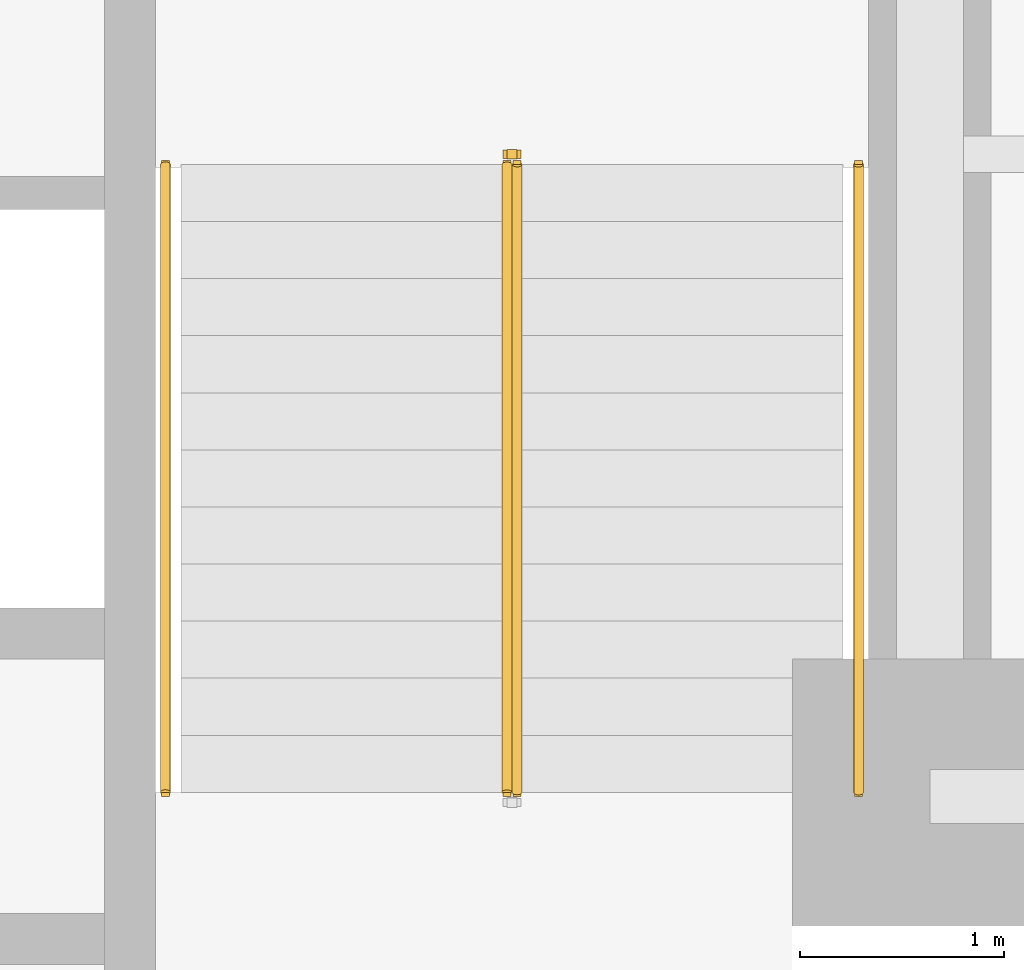
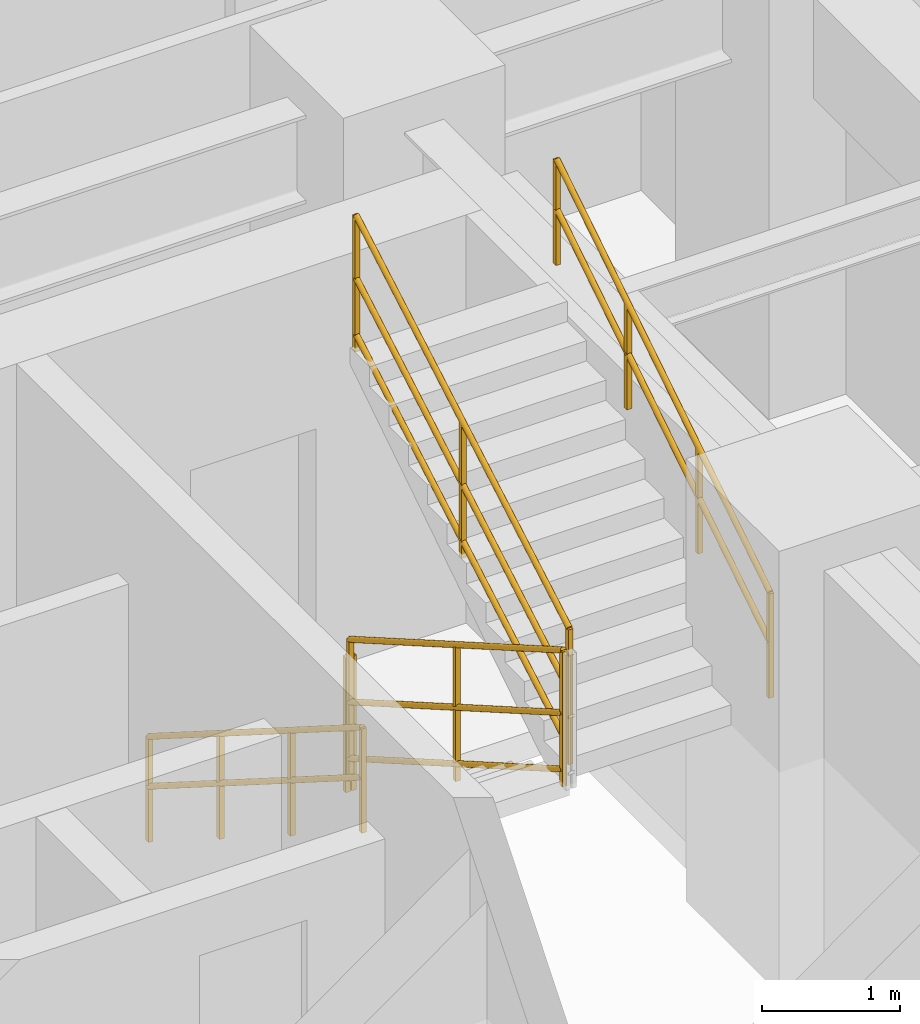
# One storey, part 9 of 10: 5 railings.
"""IFC4 building model written with IfcOpenShell, lengths in metres."""

from ifc_helpers import new_model, entity, si_unit, converted_unit, direction, frame, origin_with_axes, origin_2d_with_axis, place, context, subcontext, project, spatial, rectangle, circle, extrude, material, type_object, element, save


model = new_model("IFC4")

# Units and contexts
model_context = context("Model", 3, precision=1e-05, world=origin_with_axes(), true_north=direction((0.0, 1.0)))
body_context = subcontext(model_context, "Body", "Model", "MODEL_VIEW")
ifc_project = project(units=[si_unit("LENGTHUNIT", "METRE"), si_unit("AREAUNIT", "SQUARE_METRE"), si_unit("VOLUMEUNIT", "CUBIC_METRE"), converted_unit("PLANEANGLEUNIT", "DEGREE", entity("IfcPlaneAngleMeasure", 0.017453292519943295), si_unit("PLANEANGLEUNIT", "RADIAN"), dimensions=[0, 0, 0, 0, 0, 0, 0]), si_unit("MASSUNIT", "GRAM", prefix="KILO"), si_unit("THERMODYNAMICTEMPERATUREUNIT", "KELVIN")], contexts=[model_context])

# Site, building, storey
site_placement = place(None, origin_with_axes())
site = spatial("IfcSite", under=ifc_project, at=site_placement, CompositionType="ELEMENT")
building_placement = place(site_placement, origin_with_axes())
building = spatial("IfcBuilding", under=site, at=building_placement, Name="Varnlund Millrace Tower", CompositionType="ELEMENT")
storey_placement = place(building_placement, frame((0.0, 0.0, 75.6), z_axis=(0.0, 0.0, 1.0), x_axis=(1.0, 0.0, 0.0)))
storey = spatial("IfcBuildingStorey", under=building, at=storey_placement, Name="L18", CompositionType="ELEMENT", Elevation=75.6)

# Railings
ifc_material_1 = material(Name="Painted steel stair well balustrade guard", Category="steel")
railing_type_1 = type_object("IfcRailingType", Name="Type-StairGuard-1150", PredefinedType="GUARDRAIL", material=ifc_material_1)
railing_1_placement = place(storey_placement, frame((0.0, 0.0, -75.6), z_axis=(0.0, 0.0, 1.0), x_axis=(1.0, 0.0, 0.0)))
element("IfcRailing", 1, at=railing_1_placement, inside=storey, type_object=railing_type_1, Name="Type-StairGuard-1150", PredefinedType="GUARDRAIL", context=body_context, shape_type="SweptSolid", body=[
    extrude(circle(Radius=0.024, at=origin_2d_with_axis()), frame((45.975, 21.1, 76.927273), z_axis=(0.0, -0.866696, 0.498836), x_axis=(1.0, 0.0, 0.0)), (0.0, 0.0, 1.0), 3.553725),
    extrude(circle(Radius=0.024, at=origin_2d_with_axis()), frame((45.975, 21.1, 75.877273), z_axis=(0.0, -0.866696, 0.498836), x_axis=(1.0, 0.0, 0.0)), (0.0, 0.0, 1.0), 3.553725),
    extrude(circle(Radius=0.024, at=origin_2d_with_axis()), frame((45.975, 21.1, 76.375273), z_axis=(0.0, -0.866696, 0.498836), x_axis=(1.0, 0.0, 0.0)), (0.0, 0.0, 1.0), 3.553725),
    extrude(rectangle(XDim=0.04, YDim=0.04, at=origin_2d_with_axis()), frame((45.975, 21.1, 75.737273), z_axis=(0.0, 0.0, 1.0), x_axis=(1.0, 0.0, 0.0)), (0.0, 0.0, 1.0), 1.19),
    extrude(rectangle(XDim=0.04, YDim=0.04, at=origin_2d_with_axis()), frame((45.975, 19.56, 76.623636), z_axis=(0.0, 0.0, 1.0), x_axis=(1.0, 0.0, 0.0)), (0.0, 0.0, 1.0), 1.19),
    extrude(rectangle(XDim=0.04, YDim=0.04, at=origin_2d_with_axis()), frame((45.975, 18.02, 77.51), z_axis=(0.0, 0.0, 1.0), x_axis=(1.0, 0.0, 0.0)), (0.0, 0.0, 1.0), 1.19),
])
railing_2_placement = place(storey_placement, frame((0.0, 0.0, -75.6), z_axis=(0.0, 0.0, 1.0), x_axis=(1.0, 0.0, 0.0)))
element("IfcRailing", 2, at=railing_2_placement, inside=storey, type_object=railing_type_1, Name="Type-StairGuard-1150", PredefinedType="GUARDRAIL", context=body_context, shape_type="SweptSolid", body=[
    extrude(circle(Radius=0.024, at=origin_2d_with_axis()), frame((46.025, 18.02, 78.877273), z_axis=(0.0, 0.866696, 0.498836), x_axis=(-1.0, 0.0, 0.0)), (0.0, 0.0, 1.0), 3.553725),
    extrude(circle(Radius=0.024, at=origin_2d_with_axis()), frame((46.025, 18.02, 77.827273), z_axis=(0.0, 0.866696, 0.498836), x_axis=(-1.0, 0.0, 0.0)), (0.0, 0.0, 1.0), 3.553725),
    extrude(circle(Radius=0.024, at=origin_2d_with_axis()), frame((46.025, 18.02, 78.325273), z_axis=(0.0, 0.866696, 0.498836), x_axis=(-1.0, 0.0, 0.0)), (0.0, 0.0, 1.0), 3.553725),
    extrude(rectangle(XDim=0.04, YDim=0.04, at=origin_2d_with_axis()), frame((46.025, 18.02, 77.687273), z_axis=(0.0, 0.0, 1.0), x_axis=(1.0, 0.0, 0.0)), (0.0, 0.0, 1.0), 1.19),
    extrude(rectangle(XDim=0.04, YDim=0.04, at=origin_2d_with_axis()), frame((46.025, 19.56, 78.573636), z_axis=(0.0, 0.0, 1.0), x_axis=(1.0, 0.0, 0.0)), (0.0, 0.0, 1.0), 1.19),
    extrude(rectangle(XDim=0.04, YDim=0.04, at=origin_2d_with_axis()), frame((46.025, 21.1, 79.46), z_axis=(0.0, 0.0, 1.0), x_axis=(1.0, 0.0, 0.0)), (0.0, 0.0, 1.0), 1.19),
])
railing_3_placement = place(storey_placement, frame((0.0, 0.0, -75.6), z_axis=(0.0, 0.0, 1.0), x_axis=(1.0, 0.0, 0.0)))
element("IfcRailing", 3, at=railing_3_placement, inside=storey, type_object=railing_type_1, Name="Type-StairGuard-1150", PredefinedType="GUARDRAIL", context=body_context, shape_type="SweptSolid", body=[
    extrude(circle(Radius=0.024, at=origin_2d_with_axis()), frame((46.025, 21.15, 76.75), z_axis=(-1.0, 0.0, 0.0), x_axis=(0.0, -1.0, 0.0)), (0.0, 0.0, 1.0), 0.05),
    extrude(circle(Radius=0.024, at=origin_2d_with_axis()), frame((46.025, 21.15, 75.7), z_axis=(-1.0, 0.0, 0.0), x_axis=(0.0, -1.0, 0.0)), (0.0, 0.0, 1.0), 0.05),
    extrude(circle(Radius=0.024, at=origin_2d_with_axis()), frame((46.025, 21.15, 76.198), z_axis=(-1.0, 0.0, 0.0), x_axis=(0.0, -1.0, 0.0)), (0.0, 0.0, 1.0), 0.05),
    extrude(rectangle(XDim=0.04, YDim=0.04, at=origin_2d_with_axis()), frame((46.025, 21.15, 75.56), z_axis=(0.0, 0.0, 1.0), x_axis=(1.0, 0.0, 0.0)), (0.0, 0.0, 1.0), 1.19),
    extrude(rectangle(XDim=0.04, YDim=0.04, at=origin_2d_with_axis()), frame((45.975, 21.15, 75.56), z_axis=(0.0, 0.0, 1.0), x_axis=(1.0, 0.0, 0.0)), (0.0, 0.0, 1.0), 1.19),
])
ifc_material_2 = material(Name="Brushed architectural bronze stair handrail", Category="aluminium")
railing_type_2 = type_object("IfcRailingType", Name="Type-StairHandrail-900", PredefinedType="HANDRAIL", material=ifc_material_2)
railing_4_placement = place(storey_placement, frame((0.0, 0.0, -75.6), z_axis=(0.0, 0.0, 1.0), x_axis=(1.0, 0.0, 0.0)))
element("IfcRailing", 4, at=railing_4_placement, inside=storey, type_object=railing_type_2, Name="Type-StairHandrail-900", PredefinedType="HANDRAIL", context=body_context, shape_type="SweptSolid", body=[
    extrude(circle(Radius=0.024, at=origin_2d_with_axis()), frame((44.3, 21.1, 76.656995), z_axis=(0.0, -0.844902, 0.534922), x_axis=(1.0, 0.0, 0.0)), (0.0, 0.0, 1.0), 3.645394),
    extrude(circle(Radius=0.024, at=origin_2d_with_axis()), frame((44.3, 21.1, 76.217134), z_axis=(0.0, -0.844902, 0.534922), x_axis=(1.0, 0.0, 0.0)), (0.0, 0.0, 1.0), 3.645394),
    extrude(rectangle(XDim=0.04, YDim=0.04, at=origin_2d_with_axis()), frame((44.3, 21.1, 75.737273), z_axis=(0.0, 0.0, 1.0), x_axis=(1.0, 0.0, 0.0)), (0.0, 0.0, 1.0), 0.919722),
    extrude(rectangle(XDim=0.04, YDim=0.04, at=origin_2d_with_axis()), frame((44.3, 20.073333, 76.387273), z_axis=(0.0, 0.0, 1.0), x_axis=(1.0, 0.0, 0.0)), (0.0, 0.0, 1.0), 0.919722),
    extrude(rectangle(XDim=0.04, YDim=0.04, at=origin_2d_with_axis()), frame((44.3, 19.046667, 77.037273), z_axis=(0.0, 0.0, 1.0), x_axis=(1.0, 0.0, 0.0)), (0.0, 0.0, 1.0), 0.919722),
    extrude(rectangle(XDim=0.04, YDim=0.04, at=origin_2d_with_axis()), frame((44.3, 18.02, 77.687273), z_axis=(0.0, 0.0, 1.0), x_axis=(1.0, 0.0, 0.0)), (0.0, 0.0, 1.0), 0.919722),
])
railing_5_placement = place(storey_placement, frame((0.0, 0.0, -75.6), z_axis=(0.0, 0.0, 1.0), x_axis=(1.0, 0.0, 0.0)))
element("IfcRailing", 5, at=railing_5_placement, inside=storey, type_object=railing_type_2, Name="Type-StairHandrail-900", PredefinedType="HANDRAIL", context=body_context, shape_type="SweptSolid", body=[
    extrude(circle(Radius=0.024, at=origin_2d_with_axis()), frame((47.7, 18.02, 78.606995), z_axis=(0.0, 0.844902, 0.534922), x_axis=(-1.0, 0.0, 0.0)), (0.0, 0.0, 1.0), 3.645394),
    extrude(circle(Radius=0.024, at=origin_2d_with_axis()), frame((47.7, 18.02, 78.167134), z_axis=(0.0, 0.844902, 0.534922), x_axis=(-1.0, 0.0, 0.0)), (0.0, 0.0, 1.0), 3.645394),
    extrude(rectangle(XDim=0.04, YDim=0.04, at=origin_2d_with_axis()), frame((47.7, 18.02, 77.687273), z_axis=(0.0, 0.0, 1.0), x_axis=(1.0, 0.0, 0.0)), (0.0, 0.0, 1.0), 0.919722),
    extrude(rectangle(XDim=0.04, YDim=0.04, at=origin_2d_with_axis()), frame((47.7, 19.046667, 78.337273), z_axis=(0.0, 0.0, 1.0), x_axis=(1.0, 0.0, 0.0)), (0.0, 0.0, 1.0), 0.919722),
    extrude(rectangle(XDim=0.04, YDim=0.04, at=origin_2d_with_axis()), frame((47.7, 20.073333, 78.987273), z_axis=(0.0, 0.0, 1.0), x_axis=(1.0, 0.0, 0.0)), (0.0, 0.0, 1.0), 0.919722),
    extrude(rectangle(XDim=0.04, YDim=0.04, at=origin_2d_with_axis()), frame((47.7, 21.1, 79.637273), z_axis=(0.0, 0.0, 1.0), x_axis=(1.0, 0.0, 0.0)), (0.0, 0.0, 1.0), 0.919722),
])

save(model, "model.ifc")
